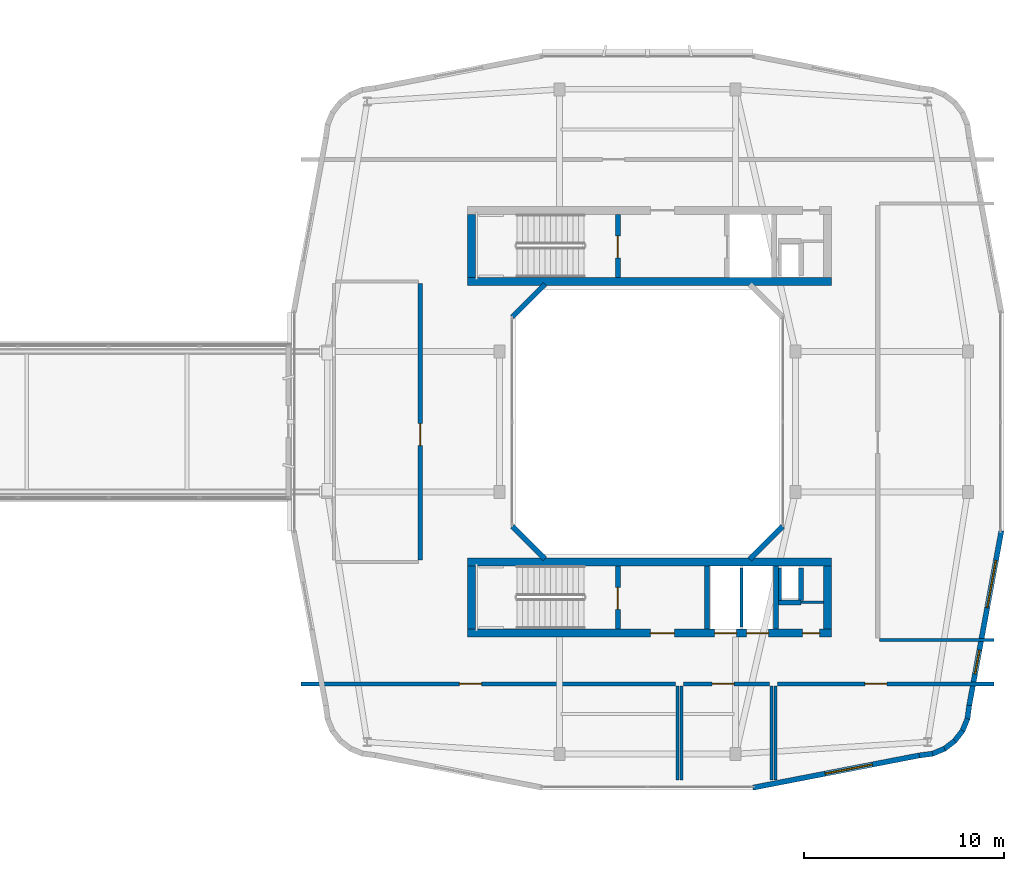
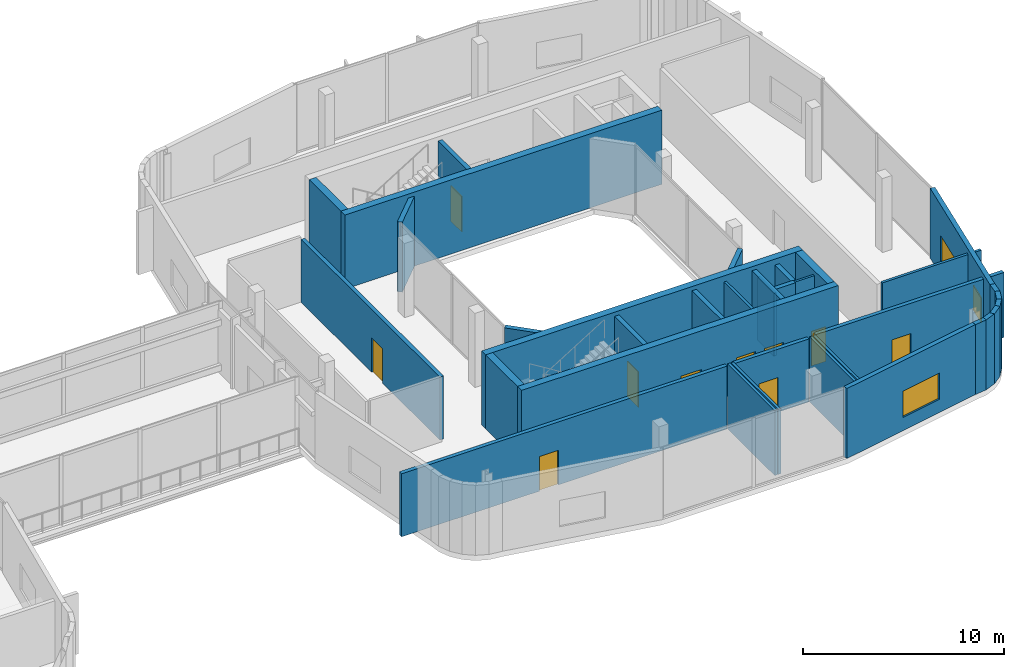
# One storey, part 17 of 24: 35 walls, 10 doors, 3 windows, 13 openings.
"""IFC4 building model written with IfcOpenShell, lengths in metres."""

from ifc_helpers import new_model, si_unit, derived_unit, direction, frame, frame_2d, origin, place, context, subcontext, project, spatial, rectangle, extrude, material, layer, layer_set, type_object, element, fill, save


model = new_model("IFC4")

# Units and contexts
model_context = context("Model", 3, precision=1e-05, world=origin(), true_north=direction((0.0, 1.0)))
body_context = subcontext(model_context, "Body", "Model", "MODEL_VIEW")
ifc_project = project(units=[si_unit("LENGTHUNIT", "METRE"), si_unit("AREAUNIT", "SQUARE_METRE"), si_unit("VOLUMEUNIT", "CUBIC_METRE"), si_unit("PLANEANGLEUNIT", "RADIAN"), si_unit("MASSUNIT", "GRAM", prefix="KILO"), derived_unit("THERMALTRANSMITTANCEUNIT", [(si_unit("POWERUNIT", "WATT"), 1), (si_unit("LENGTHUNIT", "METRE"), -2), (si_unit("THERMODYNAMICTEMPERATUREUNIT", "KELVIN"), -1)])], contexts=[model_context])

# Site, building, storey
site_placement = place(None, origin())
site = spatial("IfcSite", under=ifc_project, at=site_placement, CompositionType="ELEMENT")
building_placement = place(site_placement, origin())
building = spatial("IfcBuilding", under=site, at=building_placement, Name="Kivonza Crest Hotel", CompositionType="ELEMENT")
storey_placement = place(building_placement, frame((0.0, 0.0, 119.5)))
storey = spatial("IfcBuildingStorey", under=building, at=storey_placement, Name="L32", CompositionType="ELEMENT", Elevation=119.5)

# Wall, opening, door
ifc_material_1 = material(Name="Autoclaved aerated concrete blockwork", Category="masonry")
ifc_layer_1 = layer(ifc_material_1, 0.219970703125)
ifc_layer_set_1 = layer_set([ifc_layer_1], Name="Autoclaved aerated concrete blockwork")
wall_type_1 = type_object("IfcWallType", Name="WL-ACOU-220", PredefinedType="SOLIDWALL", material=ifc_layer_set_1)
wall_1_placement = place(storey_placement, frame((65.64990234375, 18.10009765625, 0.0), z_axis=(0.0, 0.0, 1.0), x_axis=(0.0, 1.0, 0.0)))
wall_1 = element("IfcWall", 1, at=wall_1_placement, inside=storey, type_object=wall_type_1, Name="L32 interior partition WA-L32-T2-SKYLNG-E", PredefinedType="SOLIDWALL", context=body_context, shape_type="SweptSolid", body=[
    extrude(rectangle(XDim=13.7998046875, YDim=0.219970703125, at=frame_2d((6.89990234375, 0.0))), origin(), (0.0, 0.0, 1.0), 3.824951171875),
])
opening_1_placement = place(wall_1_placement, frame((5.705078125, 0.0, 0.0)))
opening_1 = element("IfcOpeningElement", 2, at=opening_1_placement, cuts=wall_1, Name="Opening DF-60M", PredefinedType="OPENING", context=body_context, shape_type="SweptSolid", body=[
    extrude(rectangle(XDim=1.10009765625, YDim=2.10009765625, at=frame_2d((0.550048828125, 1.050048828125))), frame((0.0, 0.1201171875, 0.0), z_axis=(0.0, -1.0, 0.0), x_axis=(1.0, 0.0, 0.0)), (0.0, 0.0, 1.0), 0.239990234375),
])
ifc_material_2 = material(Name="Hardwood timber oak", Category="wood")
door_type_1 = type_object("IfcDoorType", Name="DR-FD60-1100", OperationType="NOTDEFINED", PredefinedType="DOOR", material=ifc_material_2)
door_1_placement = place(opening_1_placement, origin())
door_1 = element("IfcDoor", 3, at=door_1_placement, inside=storey, type_object=door_type_1, Name="L32 Resident Sky Lounge door", OperationType="SINGLE_SWING_LEFT", OverallHeight=2.10009765625, OverallWidth=1.10009765625, PredefinedType="DOOR", context=body_context, shape_type="SweptSolid", body=[
    extrude(rectangle(XDim=1.10009765625, YDim=2.10009765625, at=frame_2d((0.550048828125, 1.050048828125))), frame((0.0, 0.02490234375, 0.0), z_axis=(0.0, -1.0, 0.0), x_axis=(1.0, 0.0, 0.0)), (0.0, 0.0, 1.0), 0.050048828125),
])
fill(opening_1, door_1)

wall_2_placement = place(storey_placement, frame((59.699951171875, 11.89990234375, 0.0), z_axis=(0.0, 0.0, 1.0), x_axis=(1.0, 0.0, 0.0)))
wall_2 = element("IfcWall", 4, at=wall_2_placement, inside=storey, type_object=wall_type_1, Name="L32 interior partition WA-L32-T2-PAN-N", PredefinedType="SOLIDWALL", context=body_context, shape_type="SweptSolid", body=[
    extrude(rectangle(XDim=18.699951171875, YDim=0.219970703125, at=frame_2d((9.35009765625, 0.0))), origin(), (0.0, 0.0, 1.0), 3.824951171875),
])
opening_2_placement = place(wall_2_placement, frame((7.909912109375, 0.0, 0.0)))
opening_2 = element("IfcOpeningElement", 5, at=opening_2_placement, cuts=wall_2, Name="Opening DF-60M", PredefinedType="OPENING", context=body_context, shape_type="SweptSolid", body=[
    extrude(rectangle(XDim=1.10009765625, YDim=2.10009765625, at=frame_2d((0.550048828125, 1.050048828125))), frame((0.0, 0.1201171875, 0.0), z_axis=(0.0, -1.0, 0.0), x_axis=(1.0, 0.0, 0.0)), (0.0, 0.0, 1.0), 0.239990234375),
])
door_2_placement = place(opening_2_placement, frame((1.10009765625, 0.0, 0.0), z_axis=(0.0, 0.0, 1.0), x_axis=(-1.0, 0.0, 0.0)))
door_2 = element("IfcDoor", 6, at=door_2_placement, inside=storey, type_object=door_type_1, Name="L32 Resident Sky Pantry door", OperationType="SINGLE_SWING_RIGHT", OverallHeight=2.10009765625, OverallWidth=1.10009765625, PredefinedType="DOOR", context=body_context, shape_type="SweptSolid", body=[
    extrude(rectangle(XDim=1.10009765625, YDim=2.10009765625, at=frame_2d((0.550048828125, 1.050048828125))), frame((0.0, 0.02490234375, 0.0), z_axis=(0.0, -1.0, 0.0), x_axis=(1.0, 0.0, 0.0)), (0.0, 0.0, 1.0), 0.050048828125),
])
fill(opening_2, door_2)

wall_3_placement = place(storey_placement, frame((78.800048828125, 11.89990234375, 0.0), z_axis=(0.0, 0.0, 1.0), x_axis=(1.0, 0.0, 0.0)))
wall_3 = element("IfcWall", 7, at=wall_3_placement, inside=storey, type_object=wall_type_1, Name="L32 interior partition WA-L32-T2-AWC-N", PredefinedType="SOLIDWALL", context=body_context, shape_type="SweptSolid", body=[
    extrude(rectangle(XDim=4.300048828125, YDim=0.219970703125, at=frame_2d((2.14990234375, 0.0))), origin(), (0.0, 0.0, 1.0), 3.824951171875),
])
opening_3_placement = place(wall_3_placement, frame((1.429931640625, 0.0, 0.0)))
opening_3 = element("IfcOpeningElement", 8, at=opening_3_placement, cuts=wall_3, Name="Opening DF-60M", PredefinedType="OPENING", context=body_context, shape_type="SweptSolid", body=[
    extrude(rectangle(XDim=1.10009765625, YDim=2.10009765625, at=frame_2d((0.550048828125, 1.050048828125))), frame((0.0, 0.1201171875, 0.0), z_axis=(0.0, -1.0, 0.0), x_axis=(1.0, 0.0, 0.0)), (0.0, 0.0, 1.0), 0.239990234375),
])
door_3_placement = place(opening_3_placement, frame((1.10009765625, 0.0, 0.0), z_axis=(0.0, 0.0, 1.0), x_axis=(-1.0, 0.0, 0.0)))
door_3 = element("IfcDoor", 9, at=door_3_placement, inside=storey, type_object=door_type_1, Name="L32 Companion Sky Accessible WC door", OperationType="SINGLE_SWING_LEFT", OverallHeight=2.10009765625, OverallWidth=1.10009765625, PredefinedType="DOOR", context=body_context, shape_type="SweptSolid", body=[
    extrude(rectangle(XDim=1.10009765625, YDim=2.10009765625, at=frame_2d((0.550048828125, 1.050048828125))), frame((0.0, 0.02490234375, 0.0), z_axis=(0.0, -1.0, 0.0), x_axis=(1.0, 0.0, 0.0)), (0.0, 0.0, 1.0), 0.050048828125),
])
fill(opening_3, door_3)

wall_4_placement = place(storey_placement, frame((83.5, 11.89990234375, 0.0), z_axis=(0.0, 0.0, 1.0), x_axis=(1.0, 0.0, 0.0)))
wall_4 = element("IfcWall", 10, at=wall_4_placement, inside=storey, type_object=wall_type_1, Name="L32 interior partition WA-L32-T2-STR-N", PredefinedType="SOLIDWALL", context=body_context, shape_type="SweptSolid", body=[
    extrude(rectangle(XDim=10.800048828125, YDim=0.219970703125, at=frame_2d((5.39990234375, 0.0))), origin(), (0.0, 0.0, 1.0), 3.945068359375),
])
opening_4_placement = place(wall_4_placement, frame((4.35498046875, 0.0, 0.0)))
opening_4 = element("IfcOpeningElement", 11, at=opening_4_placement, cuts=wall_4, Name="Opening DF-60M", PredefinedType="OPENING", context=body_context, shape_type="SweptSolid", body=[
    extrude(rectangle(XDim=1.10009765625, YDim=2.10009765625, at=frame_2d((0.550048828125, 1.050048828125))), frame((0.0, 0.1201171875, 0.0), z_axis=(0.0, -1.0, 0.0), x_axis=(1.0, 0.0, 0.0)), (0.0, 0.0, 1.0), 0.239990234375),
])
door_4_placement = place(opening_4_placement, frame((1.10009765625, 0.0, 0.0), z_axis=(0.0, 0.0, 1.0), x_axis=(-1.0, 0.0, 0.0)))
door_4 = element("IfcDoor", 12, at=door_4_placement, inside=storey, type_object=door_type_1, Name="L32 Companion Sky Linen Store door", OperationType="SINGLE_SWING_RIGHT", OverallHeight=2.10009765625, OverallWidth=1.10009765625, PredefinedType="DOOR", context=body_context, shape_type="SweptSolid", body=[
    extrude(rectangle(XDim=1.10009765625, YDim=2.10009765625, at=frame_2d((0.550048828125, 1.050048828125))), frame((0.0, 0.02490234375, 0.0), z_axis=(0.0, -1.0, 0.0), x_axis=(1.0, 0.0, 0.0)), (0.0, 0.0, 1.0), 0.050048828125),
])
fill(opening_4, door_4)

# Walls
ifc_material_3 = material(Name="Concrete C50/60", Category="concrete")
ifc_layer_2 = layer(ifc_material_3, 0.39990234375)
ifc_layer_set_2 = layer_set([ifc_layer_2], Name="Concrete C50/60")
wall_type_2 = type_object("IfcWallType", Name="WL-CORE-400", PredefinedType="SHEAR", material=ifc_layer_set_2)
wall_5_placement = place(storey_placement, frame((68.0, 32.0, 0.0), z_axis=(0.0, 0.0, 1.0), x_axis=(1.0, 0.0, 0.0)))
element("IfcWall", 13, at=wall_5_placement, inside=storey, type_object=wall_type_2, Name="Core wall T2-N South L32", PredefinedType="SHEAR", context=body_context, shape_type="SweptSolid", body=[
    extrude(rectangle(XDim=18.199951171875, YDim=0.39990234375, at=frame_2d((9.10009765625, 0.0))), origin(), (0.0, 0.0, 1.0), 4.5),
])
wall_6_placement = place(storey_placement, frame((68.199951171875, 32.199951171875, 0.0), z_axis=(0.0, 0.0, 1.0), x_axis=(0.0, 1.0, 0.0)))
element("IfcWall", 14, at=wall_6_placement, inside=storey, type_object=wall_type_2, Name="Core wall T2-N West L32", PredefinedType="SHEAR", context=body_context, shape_type="SweptSolid", body=[
    extrude(rectangle(XDim=3.16015625, YDim=0.39990234375, at=frame_2d((1.580078125, 0.0))), origin(), (0.0, 0.0, 1.0), 4.5),
])

# Wall, openings, doors
wall_7_placement = place(storey_placement, frame((68.0, 14.43994140625, 0.0), z_axis=(0.0, 0.0, 1.0), x_axis=(1.0, 0.0, 0.0)))
wall_7 = element("IfcWall", 15, at=wall_7_placement, inside=storey, type_object=wall_type_2, Name="Core wall T2-S South L32", PredefinedType="SHEAR", context=body_context, shape_type="SweptSolid", body=[
    extrude(rectangle(XDim=18.199951171875, YDim=0.39990234375, at=frame_2d((9.10009765625, 0.0))), origin(), (0.0, 0.0, 1.0), 4.5),
])
opening_5_placement = place(wall_7_placement, frame((9.14990234375, 0.0, 0.0)))
opening_5 = element("IfcOpeningElement", 16, at=opening_5_placement, cuts=wall_7, Name="Opening DF-60", PredefinedType="OPENING", context=body_context, shape_type="SweptSolid", body=[
    extrude(rectangle(XDim=1.199951171875, YDim=2.14990234375, at=frame_2d((0.60009765625, 1.074951171875))), frame((0.0, 0.2099609375, 0.0), z_axis=(0.0, -1.0, 0.0), x_axis=(1.0, 0.0, 0.0)), (0.0, 0.0, 1.0), 0.419921875),
])
opening_6_placement = place(wall_7_placement, frame((16.75, 0.0, 0.0)))
opening_6 = element("IfcOpeningElement", 17, at=opening_6_placement, cuts=wall_7, Name="Opening DF-60R", PredefinedType="OPENING", context=body_context, shape_type="SweptSolid", body=[
    extrude(rectangle(XDim=0.85009765625, YDim=2.10009765625, at=frame_2d((0.425048828125, 1.050048828125))), frame((0.0, 0.2099609375, 0.0), z_axis=(0.0, -1.0, 0.0), x_axis=(1.0, 0.0, 0.0)), (0.0, 0.0, 1.0), 0.419921875),
])
opening_7_placement = place(wall_7_placement, frame((12.35009765625, 0.0, 0.0)))
opening_7 = element("IfcOpeningElement", 18, at=opening_7_placement, cuts=wall_7, Name="Opening LD-120", PredefinedType="OPENING", context=body_context, shape_type="SweptSolid", body=[
    extrude(rectangle(XDim=1.10009765625, YDim=2.14990234375, at=frame_2d((0.550048828125, 1.074951171875))), frame((0.0, 0.2099609375, 0.0), z_axis=(0.0, -1.0, 0.0), x_axis=(1.0, 0.0, 0.0)), (0.0, 0.0, 1.0), 0.419921875),
])
opening_8_placement = place(wall_7_placement, frame((13.949951171875, 0.0, 0.0)))
opening_8 = element("IfcOpeningElement", 19, at=opening_8_placement, cuts=wall_7, Name="Opening LD-120", PredefinedType="OPENING", context=body_context, shape_type="SweptSolid", body=[
    extrude(rectangle(XDim=1.10009765625, YDim=2.14990234375, at=frame_2d((0.550048828125, 1.074951171875))), frame((0.0, 0.2099609375, 0.0), z_axis=(0.0, -1.0, 0.0), x_axis=(1.0, 0.0, 0.0)), (0.0, 0.0, 1.0), 0.419921875),
])
door_type_2 = type_object("IfcDoorType", Name="DR-FD60-1200", OperationType="NOTDEFINED", PredefinedType="DOOR", material=ifc_material_2)
door_5_placement = place(opening_5_placement, frame((1.199951171875, 0.0, 0.0), z_axis=(0.0, 0.0, 1.0), x_axis=(-1.0, 0.0, 0.0)))
door_5 = element("IfcDoor", 20, at=door_5_placement, inside=storey, type_object=door_type_2, Name="L32 T2-S firefighting lobby fire door", OperationType="SINGLE_SWING_LEFT", OverallHeight=2.14990234375, OverallWidth=1.199951171875, PredefinedType="DOOR", context=body_context, shape_type="SweptSolid", body=[
    extrude(rectangle(XDim=1.199951171875, YDim=2.14990234375, at=frame_2d((0.60009765625, 1.074951171875))), frame((0.0, 0.02490234375, 0.0), z_axis=(0.0, -1.0, 0.0), x_axis=(1.0, 0.0, 0.0)), (0.0, 0.0, 1.0), 0.050048828125),
])
fill(opening_5, door_5)
door_type_3 = type_object("IfcDoorType", Name="DR-FD60-850", OperationType="NOTDEFINED", PredefinedType="DOOR", material=ifc_material_2)
door_6_placement = place(opening_6_placement, frame((0.85009765625, 0.0, 0.0), z_axis=(0.0, 0.0, 1.0), x_axis=(-1.0, 0.0, 0.0)))
door_6 = element("IfcDoor", 21, at=door_6_placement, inside=storey, type_object=door_type_3, Name="L32 T2-S core room door", OperationType="SINGLE_SWING_RIGHT", OverallHeight=2.10009765625, OverallWidth=0.85009765625, PredefinedType="DOOR", context=body_context, shape_type="SweptSolid", body=[
    extrude(rectangle(XDim=0.85009765625, YDim=2.10009765625, at=frame_2d((0.425048828125, 1.050048828125))), frame((0.0, 0.02490234375, 0.0), z_axis=(0.0, -1.0, 0.0), x_axis=(1.0, 0.0, 0.0)), (0.0, 0.0, 1.0), 0.050048828125),
])
fill(opening_6, door_6)
ifc_material_4 = material(Name="Stainless steel", Category="steel")
door_type_4 = type_object("IfcDoorType", Name="DR-LD120-1100", OperationType="NOTDEFINED", PredefinedType="DOOR", material=ifc_material_4)
door_7_placement = place(opening_7_placement, frame((1.10009765625, 0.0, 0.0), z_axis=(0.0, 0.0, 1.0), x_axis=(-1.0, 0.0, 0.0)))
door_7 = element("IfcDoor", 22, at=door_7_placement, inside=storey, type_object=door_type_4, Name="L32 PL-T2-1 passenger lift sliding landing door", OperationType="DOUBLE_DOOR_SLIDING", OverallHeight=2.14990234375, OverallWidth=1.10009765625, PredefinedType="DOOR", context=body_context, shape_type="SweptSolid", body=[
    extrude(rectangle(XDim=1.10009765625, YDim=2.14990234375, at=frame_2d((0.550048828125, 1.074951171875))), frame((0.0, 0.02490234375, 0.0), z_axis=(0.0, -1.0, 0.0), x_axis=(1.0, 0.0, 0.0)), (0.0, 0.0, 1.0), 0.050048828125),
])
fill(opening_7, door_7)
door_8_placement = place(opening_8_placement, frame((1.10009765625, 0.0, 0.0), z_axis=(0.0, 0.0, 1.0), x_axis=(-1.0, 0.0, 0.0)))
door_8 = element("IfcDoor", 23, at=door_8_placement, inside=storey, type_object=door_type_4, Name="L32 PL-T2-2 passenger lift sliding landing door", OperationType="DOUBLE_DOOR_SLIDING", OverallHeight=2.14990234375, OverallWidth=1.10009765625, PredefinedType="DOOR", context=body_context, shape_type="SweptSolid", body=[
    extrude(rectangle(XDim=1.10009765625, YDim=2.14990234375, at=frame_2d((0.550048828125, 1.074951171875))), frame((0.0, 0.02490234375, 0.0), z_axis=(0.0, -1.0, 0.0), x_axis=(1.0, 0.0, 0.0)), (0.0, 0.0, 1.0), 0.050048828125),
])
fill(opening_8, door_8)

# Walls
wall_8_placement = place(storey_placement, frame((68.0, 18.0, 0.0), z_axis=(0.0, 0.0, 1.0), x_axis=(1.0, 0.0, 0.0)))
element("IfcWall", 24, at=wall_8_placement, inside=storey, type_object=wall_type_2, Name="Core wall T2-S North L32", PredefinedType="SHEAR", context=body_context, shape_type="SweptSolid", body=[
    extrude(rectangle(XDim=18.199951171875, YDim=0.39990234375, at=frame_2d((9.10009765625, 0.0))), origin(), (0.0, 0.0, 1.0), 4.5),
])
for number, where, z_axis, x_axis, name in (
    (25, (68.199951171875, 14.639892578125, 0.0), (0.0, 0.0, 1.0), (0.0, 1.0, 0.0), "Core wall T2-S West L32"),
    (26, (86.0, 14.639892578125, 0.0), (0.0, 0.0, 1.0), (0.0, 1.0, 0.0), "Core wall T2-S East L32"),
):
    element("IfcWall", number, at=place(storey_placement, frame(where, z_axis=z_axis, x_axis=x_axis)), inside=storey, type_object=wall_type_2, Name=name, PredefinedType="SHEAR", context=body_context, shape_type="SweptSolid", body=[
        extrude(rectangle(XDim=3.16015625, YDim=0.39990234375, at=frame_2d((1.580078125, 0.0))), origin(), (0.0, 0.0, 1.0), 4.5),
    ])

# Wall, opening, window
ifc_material_5 = material(Name="Precast concrete C40/50", Category="concrete")
ifc_layer_3 = layer(ifc_material_5, 0.260009765625)
ifc_layer_set_3 = layer_set([ifc_layer_3], Name="Precast concrete C40/50")
wall_type_3 = type_object("IfcWallType", Name="WL-EXT-260", PredefinedType="STANDARD", material=ifc_layer_set_3)
wall_9_placement = place(storey_placement, frame((82.260986328125, 6.718017578125, 0.0), z_axis=(0.0, 0.0, 1.0), x_axis=(0.981750199588, 0.190175039396, 0.0)))
wall_9 = element("IfcWall", 27, at=wall_9_placement, inside=storey, type_object=wall_type_3, Name="L32 T2 exterior insulated wall 9", PredefinedType="STANDARD", context=body_context, shape_type="SweptSolid", body=[
    extrude(rectangle(XDim=8.476806640625, YDim=0.260009765625, at=frame_2d((4.23828125, 0.0))), origin(), (0.0, 0.0, 1.0), 4.25),
])
opening_9_placement = place(wall_9_placement, frame((3.678955078125, 0.0, 0.800048828125)))
opening_9 = element("IfcOpeningElement", 28, at=opening_9_placement, cuts=wall_9, Name="Opening WN-05", PredefinedType="OPENING", context=body_context, shape_type="SweptSolid", body=[
    extrude(rectangle(XDim=2.39990234375, YDim=1.60009765625, at=frame_2d((1.199951171875, 0.800048828125))), frame((0.0, 0.14013671875, 0.0), z_axis=(0.0, -1.0, 0.0), x_axis=(1.0, 0.0, 0.0)), (0.0, 0.0, 1.0), 0.280029296875),
])
ifc_material_6 = material(Name="Thermally broken bronze aluminium and low-E double glazing", Category="aluminium")
window_type_1 = type_object("IfcWindowType", Name="WN-240x160", PartitioningType="TRIPLE_PANEL_VERTICAL", PredefinedType="WINDOW", material=ifc_material_6)
window_1_placement = place(opening_9_placement, origin())
window_1 = element("IfcWindow", 29, at=window_1_placement, inside=storey, type_object=window_type_1, Name="L32 T2 facade window 9", OverallHeight=1.60009765625, OverallWidth=2.39990234375, PartitioningType="SINGLE_PANEL", PredefinedType="WINDOW", context=body_context, shape_type="SweptSolid", body=[
    extrude(rectangle(XDim=2.39990234375, YDim=1.60009765625, at=frame_2d((1.199951171875, 0.800048828125))), frame((0.0, 0.030029296875, 0.0), z_axis=(0.0, -1.0, 0.0), x_axis=(1.0, 0.0, 0.0)), (0.0, 0.0, 1.0), 0.06005859375),
])
fill(opening_9, window_1)

# Walls
wall_10_placement = place(storey_placement, frame((90.574951171875, 8.327880859375, 0.0), z_axis=(0.0, 0.0, 1.0), x_axis=(0.991300187529, 0.13162043232, 0.0)))
element("IfcWall", 30, at=wall_10_placement, inside=storey, type_object=wall_type_3, Name="L32 T2 exterior insulated wall 10", PredefinedType="STANDARD", context=body_context, shape_type="SweptSolid", body=[
    extrude(rectangle(XDim=0.677001953125, YDim=0.260009765625, at=frame_2d((0.33837890625, 0.0))), origin(), (0.0, 0.0, 1.0), 4.25),
])
for number, where, z_axis, x_axis, name in (
    (31, (91.199951171875, 8.39892578125, 0.0), (0.0, 0.0, 1.0), (0.924093981904, 0.382165294877, 0.0), "L32 T2 exterior insulated wall 11"),
    (32, (91.801025390625, 8.635986328125, 0.0), (0.0, 0.0, 1.0), (0.792637067512, 0.609693758543, 0.0), "L32 T2 exterior insulated wall 12"),
    (33, (92.320068359375, 9.02099609375, 0.0), (0.0, 0.0, 1.0), (0.609472651958, 0.792807092876, 0.0), "L32 T2 exterior insulated wall 13"),
):
    element("IfcWall", number, at=place(storey_placement, frame(where, z_axis=z_axis, x_axis=x_axis)), inside=storey, type_object=wall_type_3, Name=name, PredefinedType="STANDARD", context=body_context, shape_type="SweptSolid", body=[
        extrude(rectangle(XDim=0.69384765625, YDim=0.260009765625, at=frame_2d((0.346923828125, 0.0))), origin(), (0.0, 0.0, 1.0), 4.25),
    ])
wall_11_placement = place(storey_placement, frame((92.721923828125, 9.527099609375, 0.0), z_axis=(0.0, 0.0, 1.0), x_axis=(0.382289608286, 0.924042561464, 0.0)))
element("IfcWall", 34, at=wall_11_placement, inside=storey, type_object=wall_type_3, Name="L32 T2 exterior insulated wall 14", PredefinedType="STANDARD", context=body_context, shape_type="SweptSolid", body=[
    extrude(rectangle(XDim=0.693603515625, YDim=0.260009765625, at=frame_2d((0.3466796875, 0.0))), origin(), (0.0, 0.0, 1.0), 4.25),
])
wall_12_placement = place(storey_placement, frame((92.97900390625, 10.118896484375, 0.0), z_axis=(0.0, 0.0, 1.0), x_axis=(0.130614135366, 0.991433279471, 0.0)))
element("IfcWall", 35, at=wall_12_placement, inside=storey, type_object=wall_type_3, Name="L32 T2 exterior insulated wall 15", PredefinedType="STANDARD", context=body_context, shape_type="SweptSolid", body=[
    extrude(rectangle(XDim=0.712158203125, YDim=0.260009765625, at=frame_2d((0.35595703125, 0.0))), origin(), (0.0, 0.0, 1.0), 4.25),
])

# Wall, openings, windows
wall_13_placement = place(storey_placement, frame((93.071044921875, 10.81591796875, 0.0), z_axis=(0.0, 0.0, 1.0), x_axis=(0.181209963057, 0.983444431215, 0.0)))
wall_13 = element("IfcWall", 36, at=wall_13_placement, inside=storey, type_object=wall_type_3, Name="L32 T2 exterior insulated wall 16", PredefinedType="STANDARD", context=body_context, shape_type="SweptSolid", body=[
    extrude(rectangle(XDim=8.889404296875, YDim=0.260009765625, at=frame_2d((4.44482421875, 0.0))), origin(), (0.0, 0.0, 1.0), 4.25),
])
opening_10_placement = place(wall_13_placement, frame((1.62109375, 0.0, 0.85009765625)))
opening_10 = element("IfcOpeningElement", 37, at=opening_10_placement, cuts=wall_13, Name="Opening WN-01", PredefinedType="OPENING", context=body_context, shape_type="SweptSolid", body=[
    extrude(rectangle(XDim=1.199951171875, YDim=1.5, at=frame_2d((0.60009765625, 0.75))), frame((0.0, 0.14013671875, 0.0), z_axis=(0.0, -1.0, 0.0), x_axis=(1.0, 0.0, 0.0)), (0.0, 0.0, 1.0), 0.280029296875),
])
opening_11_placement = place(wall_13_placement, frame((4.97412109375, 0.0, 0.800048828125)))
opening_11 = element("IfcOpeningElement", 38, at=opening_11_placement, cuts=wall_13, Name="Opening WN-05", PredefinedType="OPENING", context=body_context, shape_type="SweptSolid", body=[
    extrude(rectangle(XDim=2.39990234375, YDim=1.60009765625, at=frame_2d((1.199951171875, 0.800048828125))), frame((0.0, 0.14013671875, 0.0), z_axis=(0.0, -1.0, 0.0), x_axis=(1.0, 0.0, 0.0)), (0.0, 0.0, 1.0), 0.280029296875),
])
window_type_2 = type_object("IfcWindowType", Name="WN-120x150", PartitioningType="SINGLE_PANEL", PredefinedType="WINDOW", material=ifc_material_6)
window_2_placement = place(opening_10_placement, origin())
window_2 = element("IfcWindow", 39, at=window_2_placement, inside=storey, type_object=window_type_2, Name="L32 T2 facade window 16 bay 1", OverallHeight=1.5, OverallWidth=1.199951171875, PartitioningType="SINGLE_PANEL", PredefinedType="WINDOW", context=body_context, shape_type="SweptSolid", body=[
    extrude(rectangle(XDim=1.199951171875, YDim=1.5, at=frame_2d((0.60009765625, 0.75))), frame((0.0, 0.030029296875, 0.0), z_axis=(0.0, -1.0, 0.0), x_axis=(1.0, 0.0, 0.0)), (0.0, 0.0, 1.0), 0.06005859375),
])
fill(opening_10, window_2)
window_3_placement = place(opening_11_placement, origin())
window_3 = element("IfcWindow", 40, at=window_3_placement, inside=storey, type_object=window_type_1, Name="L32 T2 facade window 16 bay 2", OverallHeight=1.60009765625, OverallWidth=2.39990234375, PartitioningType="SINGLE_PANEL", PredefinedType="WINDOW", context=body_context, shape_type="SweptSolid", body=[
    extrude(rectangle(XDim=2.39990234375, YDim=1.60009765625, at=frame_2d((1.199951171875, 0.800048828125))), frame((0.0, 0.030029296875, 0.0), z_axis=(0.0, -1.0, 0.0), x_axis=(1.0, 0.0, 0.0)), (0.0, 0.0, 1.0), 0.06005859375),
])
fill(opening_11, window_3)

# Walls
for number, where, z_axis, x_axis, name in (
    (41, (82.1220703125, 18.137939453125, 0.0), (0.0, 0.0, 1.0), (0.707106781187, 0.707106781187, 0.0), "L32 T2 light-well exterior wall 2"),
    (42, (71.8779296875, 31.862060546875, 0.0), (0.0, 0.0, 1.0), (-0.707106781187, -0.707106781187, 0.0), "L32 T2 light-well exterior wall 6"),
    (43, (70.243896484375, 19.77197265625, 0.0), (0.0, 0.0, 1.0), (0.707106781187, -0.707106781187, 0.0), "L32 T2 light-well exterior wall 8"),
):
    element("IfcWall", number, at=place(storey_placement, frame(where, z_axis=z_axis, x_axis=x_axis)), inside=storey, type_object=wall_type_3, Name=name, PredefinedType="STANDARD", context=body_context, shape_type="SweptSolid", body=[
        extrude(rectangle(XDim=2.310791015625, YDim=0.260009765625, at=frame_2d((1.1552734375, 0.0))), origin(), (0.0, 0.0, 1.0), 4.25),
    ])
ifc_material_7 = material(Name="Concrete blockwork fire-compartment wall", Category="masonry")
ifc_layer_4 = layer(ifc_material_7, 0.25)
ifc_layer_set_4 = layer_set([ifc_layer_4], Name="Concrete blockwork fire-compartment wall")
wall_type_4 = type_object("IfcWallType", Name="WL-FIRE-250", PredefinedType="SOLIDWALL", material=ifc_layer_set_4)
wall_14_placement = place(storey_placement, frame((84.679931640625, 16.080078125, 0.0), z_axis=(0.0, 0.0, 1.0), x_axis=(0.0, 1.0, 0.0)))
element("IfcWall", 44, at=wall_14_placement, inside=storey, type_object=wall_type_4, Name="L32 interior partition WA-L32-T2-S-MEPR-E", PredefinedType="SOLIDWALL", context=body_context, shape_type="SweptSolid", body=[
    extrude(rectangle(XDim=1.619873046875, YDim=0.25, at=frame_2d((0.81005859375, 0.0))), origin(), (0.0, 0.0, 1.0), 4.219970703125),
])
wall_15_placement = place(storey_placement, frame((83.550048828125, 15.97998046875, 0.0), z_axis=(0.0, 0.0, 1.0), x_axis=(1.0, 0.0, 0.0)))
element("IfcWall", 45, at=wall_15_placement, inside=storey, type_object=wall_type_4, Name="L32 interior partition WA-L32-T2-S-MEPR-H", PredefinedType="SOLIDWALL", context=body_context, shape_type="SweptSolid", body=[
    extrude(rectangle(XDim=1.1298828125, YDim=0.25, at=frame_2d((0.56494140625, 0.0))), origin(), (0.0, 0.0, 1.0), 4.219970703125),
])
ifc_material_8 = material(Name="Metal-stud gypsum board partition", Category="gypsum")
ifc_layer_5 = layer(ifc_material_8, 0.125)
ifc_layer_set_5 = layer_set([ifc_layer_5], Name="Metal-stud gypsum board partition")
wall_type_5 = type_object("IfcWallType", Name="WL-PART-125", PredefinedType="PARTITIONING", material=ifc_layer_set_5)
wall_16_placement = place(storey_placement, frame((84.679931640625, 15.97998046875, 0.0), z_axis=(0.0, 0.0, 1.0), x_axis=(1.0, 0.0, 0.0)))
element("IfcWall", 46, at=wall_16_placement, inside=storey, type_object=wall_type_5, Name="L32 interior partition WP-L32-T2-S-T2H", PredefinedType="PARTITIONING", context=body_context, shape_type="SweptSolid", body=[
    extrude(rectangle(XDim=1.1201171875, YDim=0.125, at=frame_2d((0.56005859375, 0.0))), origin(), (0.0, 0.0, 1.0), 4.219970703125),
])
ifc_material_9 = material(Name="Twin-stud acoustic gypsum board partition", Category="gypsum")
ifc_layer_6 = layer(ifc_material_9, 0.14990234375)
ifc_layer_set_6 = layer_set([ifc_layer_6], Name="Twin-stud acoustic gypsum board partition")
wall_type_6 = type_object("IfcWallType", Name="WL-PART-150", PredefinedType="PARTITIONING", material=ifc_layer_set_6)
wall_17_placement = place(storey_placement, frame((83.6298828125, 16.080078125, 0.0), z_axis=(0.0, 0.0, 1.0), x_axis=(0.0, 1.0, 0.0)))
element("IfcWall", 47, at=wall_17_placement, inside=storey, type_object=wall_type_6, Name="L32 interior partition WA-L32-T2-S-MEPR-W", PredefinedType="PARTITIONING", context=body_context, shape_type="SweptSolid", body=[
    extrude(rectangle(XDim=1.619873046875, YDim=0.14990234375, at=frame_2d((0.81005859375, 0.0))), origin(), (0.0, 0.0, 1.0), 3.824951171875),
])
wall_18_placement = place(storey_placement, frame((81.699951171875, 14.739990234375, 0.0), z_axis=(0.0, 0.0, 1.0), x_axis=(0.0, 1.0, 0.0)))
element("IfcWall", 48, at=wall_18_placement, inside=storey, type_object=wall_type_6, Name="L32 interior partition WP-L32-T2-S-BSH-1", PredefinedType="PARTITIONING", context=body_context, shape_type="SweptSolid", body=[
    extrude(rectangle(XDim=2.9599609375, YDim=0.14990234375, at=frame_2d((1.47998046875, 0.0))), origin(), (0.0, 0.0, 1.0), 4.219970703125),
])
wall_19_placement = place(storey_placement, frame((88.60009765625, 14.10009765625, 0.0), z_axis=(0.0, 0.0, 1.0), x_axis=(1.0, 0.0, 0.0)))
element("IfcWall", 49, at=wall_19_placement, inside=storey, type_object=wall_type_6, Name="L32 interior partition WP-L32-T2-EAST-BS", PredefinedType="PARTITIONING", context=body_context, shape_type="SweptSolid", body=[
    extrude(rectangle(XDim=5.699951171875, YDim=0.14990234375, at=frame_2d((2.85009765625, 0.0))), origin(), (0.0, 0.0, 1.0), 3.945068359375),
])
for number, where, z_axis, x_axis, name in (
    (50, (78.5, 7.10009765625, 0.0), (0.0, 0.0, 1.0), (0.0, 1.0, 0.0), "L32 interior partition WP-L32-T2-PAN-BE"),
    (51, (78.699951171875, 7.10009765625, 0.0), (0.0, 0.0, 1.0), (0.0, 1.0, 0.0), "L32 interior partition WP-L32-T2-AWC-BW"),
    (52, (83.199951171875, 7.10009765625, 0.0), (0.0, 0.0, 1.0), (0.0, 1.0, 0.0), "L32 interior partition WP-L32-T2-AWC-BE"),
    (53, (83.39990234375, 7.10009765625, 0.0), (0.0, 0.0, 1.0), (0.0, 1.0, 0.0), "L32 interior partition WP-L32-T2-STR-BW"),
):
    element("IfcWall", number, at=place(storey_placement, frame(where, z_axis=z_axis, x_axis=x_axis)), inside=storey, type_object=wall_type_6, Name=name, PredefinedType="PARTITIONING", context=body_context, shape_type="SweptSolid", body=[
        extrude(rectangle(XDim=4.699951171875, YDim=0.14990234375, at=frame_2d((2.35009765625, 0.0))), origin(), (0.0, 0.0, 1.0), 3.945068359375),
    ])

# Wall, opening, door
ifc_layer_7 = layer(ifc_material_3, 0.25)
ifc_layer_set_7 = layer_set([ifc_layer_7], Name="Concrete C50/60")
wall_type_7 = type_object("IfcWallType", Name="WL-SHAFT-250", PredefinedType="STANDARD", material=ifc_layer_set_7)
wall_20_placement = place(storey_placement, frame((75.52490234375, 32.199951171875, 0.0), z_axis=(0.0, 0.0, 1.0), x_axis=(0.0, 1.0, 0.0)))
wall_20 = element("IfcWall", 54, at=wall_20_placement, inside=storey, type_object=wall_type_7, Name="Core shaft wall T2-N STAIR L32", PredefinedType="STANDARD", context=body_context, shape_type="SweptSolid", body=[
    extrude(rectangle(XDim=3.16015625, YDim=0.25, at=frame_2d((1.580078125, 0.0))), origin(), (0.0, 0.0, 1.0), 4.25),
])
opening_12_placement = place(wall_20_placement, frame((0.97998046875, 0.0, 0.0)))
opening_12 = element("IfcOpeningElement", 55, at=opening_12_placement, cuts=wall_20, Name="Opening DF-120", PredefinedType="OPENING", context=body_context, shape_type="SweptSolid", body=[
    extrude(rectangle(XDim=1.10009765625, YDim=2.14990234375, at=frame_2d((0.550048828125, 1.074951171875))), frame((0.0, 0.135009765625, 0.0), z_axis=(0.0, -1.0, 0.0), x_axis=(1.0, 0.0, 0.0)), (0.0, 0.0, 1.0), 0.27001953125),
])
ifc_material_10 = material(Name="Galvanised steel", Category="steel")
door_type_5 = type_object("IfcDoorType", Name="DR-FD120-1100", OperationType="NOTDEFINED", PredefinedType="DOOR", material=ifc_material_10)
door_9_placement = place(opening_12_placement, frame((1.10009765625, 0.0, 0.0), z_axis=(0.0, 0.0, 1.0), x_axis=(-1.0, 0.0, 0.0)))
door_9 = element("IfcDoor", 56, at=door_9_placement, inside=storey, type_object=door_type_5, Name="L32 T2-N stair fire door", OperationType="SINGLE_SWING_LEFT", OverallHeight=2.14990234375, OverallWidth=1.10009765625, PredefinedType="DOOR", context=body_context, shape_type="SweptSolid", body=[
    extrude(rectangle(XDim=1.10009765625, YDim=2.14990234375, at=frame_2d((0.550048828125, 1.074951171875))), frame((0.0, 0.02490234375, 0.0), z_axis=(0.0, -1.0, 0.0), x_axis=(1.0, 0.0, 0.0)), (0.0, 0.0, 1.0), 0.050048828125),
])
fill(opening_12, door_9)

wall_21_placement = place(storey_placement, frame((75.52490234375, 14.639892578125, 0.0), z_axis=(0.0, 0.0, 1.0), x_axis=(0.0, 1.0, 0.0)))
wall_21 = element("IfcWall", 57, at=wall_21_placement, inside=storey, type_object=wall_type_7, Name="Core shaft wall T2-S STAIR L32", PredefinedType="STANDARD", context=body_context, shape_type="SweptSolid", body=[
    extrude(rectangle(XDim=3.16015625, YDim=0.25, at=frame_2d((1.580078125, 0.0))), origin(), (0.0, 0.0, 1.0), 4.25),
])
opening_13_placement = place(wall_21_placement, frame((0.97998046875, 0.0, 0.0)))
opening_13 = element("IfcOpeningElement", 58, at=opening_13_placement, cuts=wall_21, Name="Opening DF-120", PredefinedType="OPENING", context=body_context, shape_type="SweptSolid", body=[
    extrude(rectangle(XDim=1.10009765625, YDim=2.14990234375, at=frame_2d((0.550048828125, 1.074951171875))), frame((0.0, 0.135009765625, 0.0), z_axis=(0.0, -1.0, 0.0), x_axis=(1.0, 0.0, 0.0)), (0.0, 0.0, 1.0), 0.27001953125),
])
door_10_placement = place(opening_13_placement, frame((1.10009765625, 0.0, 0.0), z_axis=(0.0, 0.0, 1.0), x_axis=(-1.0, 0.0, 0.0)))
door_10 = element("IfcDoor", 59, at=door_10_placement, inside=storey, type_object=door_type_5, Name="L32 T2-S stair fire door", OperationType="SINGLE_SWING_RIGHT", OverallHeight=2.14990234375, OverallWidth=1.10009765625, PredefinedType="DOOR", context=body_context, shape_type="SweptSolid", body=[
    extrude(rectangle(XDim=1.10009765625, YDim=2.14990234375, at=frame_2d((0.550048828125, 1.074951171875))), frame((0.0, 0.02490234375, 0.0), z_axis=(0.0, -1.0, 0.0), x_axis=(1.0, 0.0, 0.0)), (0.0, 0.0, 1.0), 0.050048828125),
])
fill(opening_13, door_10)

# Walls
for number, where, z_axis, x_axis, name in (
    (60, (79.97509765625, 14.639892578125, 0.0), (0.0, 0.0, 1.0), (0.0, 1.0, 0.0), "Core shaft wall T2-S BANK-W L32"),
    (61, (83.425048828125, 14.639892578125, 0.0), (0.0, 0.0, 1.0), (0.0, 1.0, 0.0), "Core shaft wall T2-S BANK-E L32"),
):
    element("IfcWall", number, at=place(storey_placement, frame(where, z_axis=z_axis, x_axis=x_axis)), inside=storey, type_object=wall_type_7, Name=name, PredefinedType="STANDARD", context=body_context, shape_type="SweptSolid", body=[
        extrude(rectangle(XDim=3.16015625, YDim=0.25, at=frame_2d((1.580078125, 0.0))), origin(), (0.0, 0.0, 1.0), 4.25),
    ])

save(model, "model.ifc")
